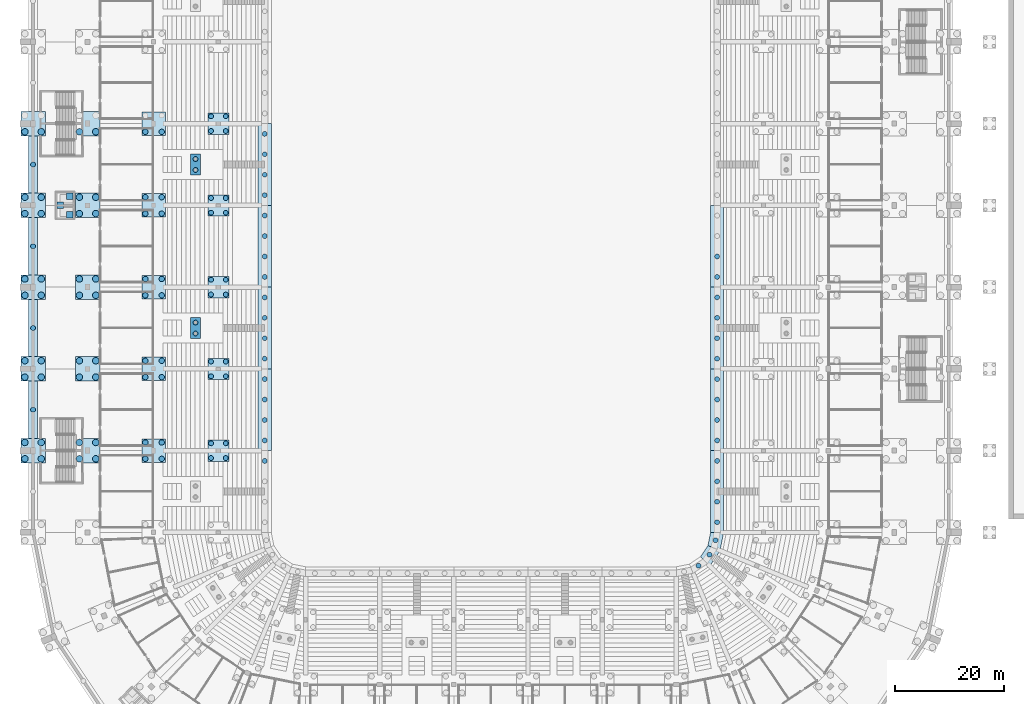
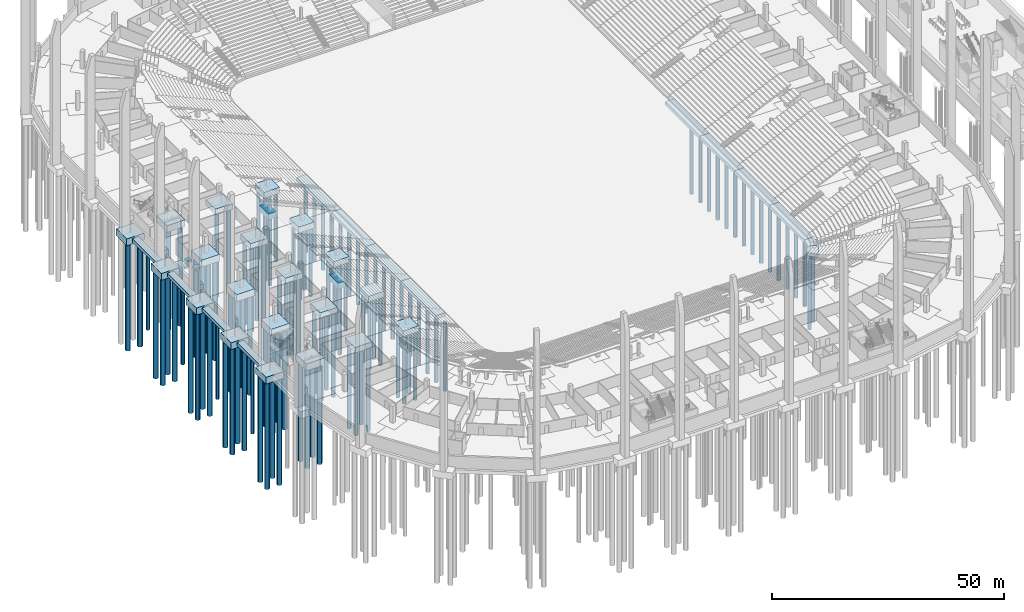
# One storey, part 3 of 115: 116 piles, 39 footings.
"""IFC4 building model written with IfcOpenShell, lengths in metres."""

from ifc_helpers import new_model, si_unit, direction, frame, origin, origin_2d, place, context, subcontext, project, spatial, polyline, rectangle, circle, outline, extrude, material, layer, layer_set, material_profile, profile_set, type_object, element, save


model = new_model("IFC4")

# Units and contexts
model_context = context("Model", 3, precision=1e-05, world=origin(), true_north=direction((0.0, 1.0)))
body_context = subcontext(model_context, "Body", "Model", "MODEL_VIEW")
ifc_project = project(units=[si_unit("LENGTHUNIT", "METRE"), si_unit("AREAUNIT", "SQUARE_METRE"), si_unit("VOLUMEUNIT", "CUBIC_METRE"), si_unit("PLANEANGLEUNIT", "RADIAN"), si_unit("MASSUNIT", "GRAM", prefix="KILO")], contexts=[model_context])

# Site, building, storey
site_placement = place(None, origin())
site = spatial("IfcSite", under=ifc_project, at=site_placement, CompositionType="ELEMENT")
building_placement = place(site_placement, origin())
building = spatial("IfcBuilding", under=site, at=building_placement, Name="Ogive Plaza Stadium", CompositionType="ELEMENT")
storey_placement = place(building_placement, frame((0.0, 0.0, -4.5)))
storey = spatial("IfcBuildingStorey", under=building, at=storey_placement, Name="B1", CompositionType="ELEMENT", Elevation=-4.5)

# Piles
ifc_material_1 = material(Name="Concrete C40/50", Category="concrete")
ifc_material_profile_1 = material_profile(ifc_material_1, circle(Radius=0.5, at=origin_2d()), Name="RC D1000")
ifc_profile_set_1 = profile_set([ifc_material_profile_1], Name="Concrete C40/50")
pile_type_1 = type_object("IfcPileType", Name="Bored pile D1000", PredefinedType="BORED", material=ifc_profile_set_1)
for number, where, z_axis, x_axis, name in (
    (1, (-60.39990234375, -36.0, -1.5), (0.0, 0.0, -1.0), (1.0, 0.0, 0.0), "Bored pile F3:R22 1"),
    (2, (-60.39990234375, -39.0, -1.5), (0.0, 0.0, -1.0), (1.0, 0.0, 0.0), "Bored pile F3:R22 2"),
    (3, (-63.39990234375, -36.0, -1.5), (0.0, 0.0, -1.0), (1.0, 0.0, 0.0), "Bored pile F3:R22 3"),
    (4, (-63.39990234375, -39.0, -1.5), (0.0, 0.0, -1.0), (1.0, 0.0, 0.0), "Bored pile F3:R22 4"),
    (5, (-60.39990234375, -21.0, -1.5), (0.0, 0.0, -1.0), (1.0, 0.0, 0.0), "Bored pile F3:R23 1"),
    (6, (-60.39990234375, -24.0, -1.5), (0.0, 0.0, -1.0), (1.0, 0.0, 0.0), "Bored pile F3:R23 2"),
    (7, (-63.39990234375, -21.0, -1.5), (0.0, 0.0, -1.0), (1.0, 0.0, 0.0), "Bored pile F3:R23 3"),
    (8, (-63.39990234375, -24.0, -1.5), (0.0, 0.0, -1.0), (1.0, 0.0, 0.0), "Bored pile F3:R23 4"),
    (9, (-60.39990234375, -6.0, -1.5), (0.0, 0.0, -1.0), (1.0, 0.0, 0.0), "Bored pile F3:R24 1"),
    (10, (-60.39990234375, -9.0, -1.5), (0.0, 0.0, -1.0), (1.0, 0.0, 0.0), "Bored pile F3:R24 2"),
    (11, (-63.39990234375, -6.0, -1.5), (0.0, 0.0, -1.0), (1.0, 0.0, 0.0), "Bored pile F3:R24 3"),
    (12, (-63.39990234375, -9.0, -1.5), (0.0, 0.0, -1.0), (1.0, 0.0, 0.0), "Bored pile F3:R24 4"),
    (13, (-60.39990234375, 9.0, -1.5), (0.0, 0.0, -1.0), (1.0, 0.0, 0.0), "Bored pile F3:R25 1"),
    (14, (-60.39990234375, 6.0, -1.5), (0.0, 0.0, -1.0), (1.0, 0.0, 0.0), "Bored pile F3:R25 2"),
    (15, (-63.39990234375, 9.0, -1.5), (0.0, 0.0, -1.0), (1.0, 0.0, 0.0), "Bored pile F3:R25 3"),
    (16, (-63.39990234375, 6.0, -1.5), (0.0, 0.0, -1.0), (1.0, 0.0, 0.0), "Bored pile F3:R25 4"),
    (17, (-60.39990234375, 21.0, -1.5), (0.0, 0.0, -1.0), (1.0, 0.0, 0.0), "Bored pile F3:R26 2"),
    (18, (-63.39990234375, 21.0, -1.5), (0.0, 0.0, -1.0), (1.0, 0.0, 0.0), "Bored pile F3:R26 4"),
):
    element("IfcPile", number, at=place(storey_placement, frame(where, z_axis=z_axis, x_axis=x_axis)), inside=storey, type_object=pile_type_1, Name=name, PredefinedType="BORED", context=body_context, shape_type="SweptSolid", body=[
        extrude(circle(Radius=0.5, at=origin_2d()), origin(), (0.0, 0.0, 1.0), 22.0),
    ])
ifc_material_2 = material(Name="Concrete C40/50", Category="concrete")
ifc_material_profile_2 = material_profile(ifc_material_2, circle(Radius=0.60009765625, at=origin_2d()), Name="RC D1200")
ifc_profile_set_2 = profile_set([ifc_material_profile_2], Name="Concrete C40/50")
pile_type_2 = type_object("IfcPileType", Name="Bored pile D1200", PredefinedType="BORED", material=ifc_profile_set_2)
for number, where, z_axis, x_axis, name in (
    (19, (-72.5, -36.0, -1.800048828125), (0.0, 0.0, -1.0), (1.0, 0.0, 0.0), "Bored pile F4:R22 1"),
    (20, (-72.5, -39.0, -1.800048828125), (0.0, 0.0, -1.0), (1.0, 0.0, 0.0), "Bored pile F4:R22 2"),
    (21, (-75.5, -36.0, -1.800048828125), (0.0, 0.0, -1.0), (1.0, 0.0, 0.0), "Bored pile F4:R22 3"),
    (22, (-75.5, -39.0, -1.800048828125), (0.0, 0.0, -1.0), (1.0, 0.0, 0.0), "Bored pile F4:R22 4"),
):
    element("IfcPile", number, at=place(storey_placement, frame(where, z_axis=z_axis, x_axis=x_axis)), inside=storey, type_object=pile_type_2, Name=name, PredefinedType="BORED", context=body_context, shape_type="SweptSolid", body=[
        extrude(circle(Radius=0.60009765625, at=origin_2d()), origin(), (0.0, 0.0, 1.0), 26.0),
    ])
for number, where, z_axis, x_axis, name in (
    (23, (-82.5, -36.0, -1.800048828125), (0.0, 0.0, -1.0), (1.0, 0.0, 0.0), "Bored pile F5:R22 1"),
    (24, (-82.5, -39.0, -1.800048828125), (0.0, 0.0, -1.0), (1.0, 0.0, 0.0), "Bored pile F5:R22 2"),
    (25, (-85.5, -36.0, -1.800048828125), (0.0, 0.0, -1.0), (1.0, 0.0, 0.0), "Bored pile F5:R22 3"),
    (26, (-85.5, -39.0, -1.800048828125), (0.0, 0.0, -1.0), (1.0, 0.0, 0.0), "Bored pile F5:R22 4"),
):
    element("IfcPile", number, at=place(storey_placement, frame(where, z_axis=z_axis, x_axis=x_axis)), inside=storey, type_object=pile_type_2, Name=name, PredefinedType="BORED", context=body_context, shape_type="SweptSolid", body=[
        extrude(circle(Radius=0.60009765625, at=origin_2d()), origin(), (0.0, 0.0, 1.0), 28.0),
    ])
for number, where, z_axis, x_axis, name in (
    (27, (-72.5, -21.0, -1.800048828125), (0.0, 0.0, -1.0), (1.0, 0.0, 0.0), "Bored pile F4:R23 1"),
    (28, (-72.5, -24.0, -1.800048828125), (0.0, 0.0, -1.0), (1.0, 0.0, 0.0), "Bored pile F4:R23 2"),
    (29, (-75.5, -21.0, -1.800048828125), (0.0, 0.0, -1.0), (1.0, 0.0, 0.0), "Bored pile F4:R23 3"),
    (30, (-75.5, -24.0, -1.800048828125), (0.0, 0.0, -1.0), (1.0, 0.0, 0.0), "Bored pile F4:R23 4"),
):
    element("IfcPile", number, at=place(storey_placement, frame(where, z_axis=z_axis, x_axis=x_axis)), inside=storey, type_object=pile_type_2, Name=name, PredefinedType="BORED", context=body_context, shape_type="SweptSolid", body=[
        extrude(circle(Radius=0.60009765625, at=origin_2d()), origin(), (0.0, 0.0, 1.0), 26.0),
    ])
for number, where, z_axis, x_axis, name in (
    (31, (-82.5, -21.0, -1.800048828125), (0.0, 0.0, -1.0), (1.0, 0.0, 0.0), "Bored pile F5:R23 1"),
    (32, (-82.5, -24.0, -1.800048828125), (0.0, 0.0, -1.0), (1.0, 0.0, 0.0), "Bored pile F5:R23 2"),
    (33, (-85.5, -21.0, -1.800048828125), (0.0, 0.0, -1.0), (1.0, 0.0, 0.0), "Bored pile F5:R23 3"),
    (34, (-85.5, -24.0, -1.800048828125), (0.0, 0.0, -1.0), (1.0, 0.0, 0.0), "Bored pile F5:R23 4"),
):
    element("IfcPile", number, at=place(storey_placement, frame(where, z_axis=z_axis, x_axis=x_axis)), inside=storey, type_object=pile_type_2, Name=name, PredefinedType="BORED", context=body_context, shape_type="SweptSolid", body=[
        extrude(circle(Radius=0.60009765625, at=origin_2d()), origin(), (0.0, 0.0, 1.0), 28.0),
    ])
for number, where, z_axis, x_axis, name in (
    (35, (-72.5, -6.0, -1.800048828125), (0.0, 0.0, -1.0), (1.0, 0.0, 0.0), "Bored pile F4:R24 1"),
    (36, (-72.5, -9.0, -1.800048828125), (0.0, 0.0, -1.0), (1.0, 0.0, 0.0), "Bored pile F4:R24 2"),
    (37, (-75.5, -6.0, -1.800048828125), (0.0, 0.0, -1.0), (1.0, 0.0, 0.0), "Bored pile F4:R24 3"),
    (38, (-75.5, -9.0, -1.800048828125), (0.0, 0.0, -1.0), (1.0, 0.0, 0.0), "Bored pile F4:R24 4"),
):
    element("IfcPile", number, at=place(storey_placement, frame(where, z_axis=z_axis, x_axis=x_axis)), inside=storey, type_object=pile_type_2, Name=name, PredefinedType="BORED", context=body_context, shape_type="SweptSolid", body=[
        extrude(circle(Radius=0.60009765625, at=origin_2d()), origin(), (0.0, 0.0, 1.0), 26.0),
    ])
for number, where, z_axis, x_axis, name in (
    (39, (-82.5, -6.0, -1.800048828125), (0.0, 0.0, -1.0), (1.0, 0.0, 0.0), "Bored pile F5:R24 1"),
    (40, (-82.5, -9.0, -1.800048828125), (0.0, 0.0, -1.0), (1.0, 0.0, 0.0), "Bored pile F5:R24 2"),
    (41, (-85.5, -6.0, -1.800048828125), (0.0, 0.0, -1.0), (1.0, 0.0, 0.0), "Bored pile F5:R24 3"),
    (42, (-85.5, -9.0, -1.800048828125), (0.0, 0.0, -1.0), (1.0, 0.0, 0.0), "Bored pile F5:R24 4"),
):
    element("IfcPile", number, at=place(storey_placement, frame(where, z_axis=z_axis, x_axis=x_axis)), inside=storey, type_object=pile_type_2, Name=name, PredefinedType="BORED", context=body_context, shape_type="SweptSolid", body=[
        extrude(circle(Radius=0.60009765625, at=origin_2d()), origin(), (0.0, 0.0, 1.0), 28.0),
    ])
for number, where, z_axis, x_axis, name in (
    (43, (-72.5, 9.0, -1.800048828125), (0.0, 0.0, -1.0), (1.0, 0.0, 0.0), "Bored pile F4:R25 1"),
    (44, (-72.5, 6.0, -1.800048828125), (0.0, 0.0, -1.0), (1.0, 0.0, 0.0), "Bored pile F4:R25 2"),
    (45, (-75.5, 9.0, -1.800048828125), (0.0, 0.0, -1.0), (1.0, 0.0, 0.0), "Bored pile F4:R25 3"),
    (46, (-75.5, 6.0, -1.800048828125), (0.0, 0.0, -1.0), (1.0, 0.0, 0.0), "Bored pile F4:R25 4"),
):
    element("IfcPile", number, at=place(storey_placement, frame(where, z_axis=z_axis, x_axis=x_axis)), inside=storey, type_object=pile_type_2, Name=name, PredefinedType="BORED", context=body_context, shape_type="SweptSolid", body=[
        extrude(circle(Radius=0.60009765625, at=origin_2d()), origin(), (0.0, 0.0, 1.0), 26.0),
    ])
for number, where, z_axis, x_axis, name in (
    (47, (-82.5, 9.0, -1.800048828125), (0.0, 0.0, -1.0), (1.0, 0.0, 0.0), "Bored pile F5:R25 1"),
    (48, (-82.5, 6.0, -1.800048828125), (0.0, 0.0, -1.0), (1.0, 0.0, 0.0), "Bored pile F5:R25 2"),
    (49, (-85.5, 9.0, -1.800048828125), (0.0, 0.0, -1.0), (1.0, 0.0, 0.0), "Bored pile F5:R25 3"),
    (50, (-85.5, 6.0, -1.800048828125), (0.0, 0.0, -1.0), (1.0, 0.0, 0.0), "Bored pile F5:R25 4"),
):
    element("IfcPile", number, at=place(storey_placement, frame(where, z_axis=z_axis, x_axis=x_axis)), inside=storey, type_object=pile_type_2, Name=name, PredefinedType="BORED", context=body_context, shape_type="SweptSolid", body=[
        extrude(circle(Radius=0.60009765625, at=origin_2d()), origin(), (0.0, 0.0, 1.0), 28.0),
    ])
for number, where, z_axis, x_axis, name in (
    (51, (-72.5, 21.0, -1.800048828125), (0.0, 0.0, -1.0), (1.0, 0.0, 0.0), "Bored pile F4:R26 2"),
    (52, (-75.5, 21.0, -1.800048828125), (0.0, 0.0, -1.0), (1.0, 0.0, 0.0), "Bored pile F4:R26 4"),
):
    element("IfcPile", number, at=place(storey_placement, frame(where, z_axis=z_axis, x_axis=x_axis)), inside=storey, type_object=pile_type_2, Name=name, PredefinedType="BORED", context=body_context, shape_type="SweptSolid", body=[
        extrude(circle(Radius=0.60009765625, at=origin_2d()), origin(), (0.0, 0.0, 1.0), 26.0),
    ])
for number, where, z_axis, x_axis, name in (
    (53, (-82.5, 21.0, -1.800048828125), (0.0, 0.0, -1.0), (1.0, 0.0, 0.0), "Bored pile F5:R26 2"),
    (54, (-85.5, 21.0, -1.800048828125), (0.0, 0.0, -1.0), (1.0, 0.0, 0.0), "Bored pile F5:R26 4"),
):
    element("IfcPile", number, at=place(storey_placement, frame(where, z_axis=z_axis, x_axis=x_axis)), inside=storey, type_object=pile_type_2, Name=name, PredefinedType="BORED", context=body_context, shape_type="SweptSolid", body=[
        extrude(circle(Radius=0.60009765625, at=origin_2d()), origin(), (0.0, 0.0, 1.0), 28.0),
    ])
ifc_material_3 = material(Name="Concrete C40/50", Category="concrete")
ifc_material_profile_3 = material_profile(ifc_material_3, circle(Radius=0.449951171875, at=origin_2d()), Name="RC D900")
ifc_profile_set_3 = profile_set([ifc_material_profile_3], Name="Concrete C40/50")
pile_type_3 = type_object("IfcPileType", Name="Bored pile D900", PredefinedType="BORED", material=ifc_profile_set_3)
for number, where, z_axis, x_axis, name in (
    (55, (-48.64990234375, -36.14990234375, -1.5), (0.0, 0.0, -1.0), (1.0, 0.0, 0.0), "Bored pile F1:R22 1"),
    (56, (-48.64990234375, -38.85009765625, -1.5), (0.0, 0.0, -1.0), (1.0, 0.0, 0.0), "Bored pile F1:R22 2"),
    (57, (-51.35009765625, -36.14990234375, -1.5), (0.0, 0.0, -1.0), (1.0, 0.0, 0.0), "Bored pile F1:R22 3"),
    (58, (-51.35009765625, -38.85009765625, -1.5), (0.0, 0.0, -1.0), (1.0, 0.0, 0.0), "Bored pile F1:R22 4"),
    (59, (-48.64990234375, -21.14990234375, -1.5), (0.0, 0.0, -1.0), (1.0, 0.0, 0.0), "Bored pile F1:R23 1"),
    (60, (-48.64990234375, -23.85009765625, -1.5), (0.0, 0.0, -1.0), (1.0, 0.0, 0.0), "Bored pile F1:R23 2"),
    (61, (-51.35009765625, -21.14990234375, -1.5), (0.0, 0.0, -1.0), (1.0, 0.0, 0.0), "Bored pile F1:R23 3"),
    (62, (-51.35009765625, -23.85009765625, -1.5), (0.0, 0.0, -1.0), (1.0, 0.0, 0.0), "Bored pile F1:R23 4"),
    (63, (-48.64990234375, -6.14990234375, -1.5), (0.0, 0.0, -1.0), (1.0, 0.0, 0.0), "Bored pile F1:R24 1"),
    (64, (-48.64990234375, -8.85009765625, -1.5), (0.0, 0.0, -1.0), (1.0, 0.0, 0.0), "Bored pile F1:R24 2"),
    (65, (-51.35009765625, -6.14990234375, -1.5), (0.0, 0.0, -1.0), (1.0, 0.0, 0.0), "Bored pile F1:R24 3"),
    (66, (-51.35009765625, -8.85009765625, -1.5), (0.0, 0.0, -1.0), (1.0, 0.0, 0.0), "Bored pile F1:R24 4"),
    (67, (-48.64990234375, 8.85009765625, -1.5), (0.0, 0.0, -1.0), (1.0, 0.0, 0.0), "Bored pile F1:R25 1"),
    (68, (-48.64990234375, 6.14990234375, -1.5), (0.0, 0.0, -1.0), (1.0, 0.0, 0.0), "Bored pile F1:R25 2"),
    (69, (-51.35009765625, 8.85009765625, -1.5), (0.0, 0.0, -1.0), (1.0, 0.0, 0.0), "Bored pile F1:R25 3"),
    (70, (-51.35009765625, 6.14990234375, -1.5), (0.0, 0.0, -1.0), (1.0, 0.0, 0.0), "Bored pile F1:R25 4"),
    (71, (-48.64990234375, 23.85009765625, -1.5), (0.0, 0.0, -1.0), (1.0, 0.0, 0.0), "Bored pile F1:R26 1"),
    (72, (-48.64990234375, 21.14990234375, -1.5), (0.0, 0.0, -1.0), (1.0, 0.0, 0.0), "Bored pile F1:R26 2"),
    (73, (-51.35009765625, 23.85009765625, -1.5), (0.0, 0.0, -1.0), (1.0, 0.0, 0.0), "Bored pile F1:R26 3"),
    (74, (-51.35009765625, 21.14990234375, -1.5), (0.0, 0.0, -1.0), (1.0, 0.0, 0.0), "Bored pile F1:R26 4"),
    (75, (41.5, -1.875, -1.300048828125), (0.0, 0.0, -1.0), (1.0, 0.0, 0.0), "Bored pile F0:B04 3"),
    (76, (41.5, -5.625, -1.300048828125), (0.0, 0.0, -1.0), (1.0, 0.0, 0.0), "Bored pile F0:B04 4"),
    (77, (41.5, -9.375, -1.300048828125), (0.0, 0.0, -1.0), (1.0, 0.0, 0.0), "Bored pile F0:B05 1"),
    (78, (41.5, -13.125, -1.300048828125), (0.0, 0.0, -1.0), (1.0, 0.0, 0.0), "Bored pile F0:B05 2"),
    (79, (41.5, -16.875, -1.300048828125), (0.0, 0.0, -1.0), (1.0, 0.0, 0.0), "Bored pile F0:B05 3"),
    (80, (41.5, -20.625, -1.300048828125), (0.0, 0.0, -1.0), (1.0, 0.0, 0.0), "Bored pile F0:B05 4"),
    (81, (41.5, -24.375, -1.300048828125), (0.0, 0.0, -1.0), (1.0, 0.0, 0.0), "Bored pile F0:B06 1"),
    (82, (41.5, -28.125, -1.300048828125), (0.0, 0.0, -1.0), (1.0, 0.0, 0.0), "Bored pile F0:B06 2"),
    (83, (41.5, -31.875, -1.300048828125), (0.0, 0.0, -1.0), (1.0, 0.0, 0.0), "Bored pile F0:B06 3"),
    (84, (41.5, -35.625, -1.300048828125), (0.0, 0.0, -1.0), (1.0, 0.0, 0.0), "Bored pile F0:B06 4"),
    (85, (41.5, -39.375, -1.300048828125), (0.0, 0.0, -1.0), (1.0, 0.0, 0.0), "Bored pile F0:B07 1"),
    (86, (41.5, -43.125, -1.300048828125), (0.0, 0.0, -1.0), (1.0, 0.0, 0.0), "Bored pile F0:B07 2"),
    (87, (41.5, -46.875, -1.300048828125), (0.0, 0.0, -1.0), (1.0, 0.0, 0.0), "Bored pile F0:B07 3"),
    (88, (41.5, -50.625, -1.300048828125), (0.0, 0.0, -1.0), (1.0, 0.0, 0.0), "Bored pile F0:B07 4"),
    (89, (41.214599609375, -53.93505859375, -1.300048828125), (0.0, 0.0, -1.0), (1.0, 0.0, 0.0), "Bored pile F0:B08 1"),
    (90, (40.1162109375, -56.586669921875, -1.300048828125), (0.0, 0.0, -1.0), (1.0, 0.0, 0.0), "Bored pile F0:B09 1"),
    (91, (38.086669921875, -58.6162109375, -1.300048828125), (0.0, 0.0, -1.0), (1.0, 0.0, 0.0), "Bored pile F0:B10 1"),
    (92, (-41.5, -39.375, -1.300048828125), (0.0, 0.0, -1.0), (1.0, 0.0, 0.0), "Bored pile F0:B21 4"),
    (93, (-41.5, -35.625, -1.300048828125), (0.0, 0.0, -1.0), (1.0, 0.0, 0.0), "Bored pile F0:B22 1"),
    (94, (-41.5, -31.875, -1.300048828125), (0.0, 0.0, -1.0), (1.0, 0.0, 0.0), "Bored pile F0:B22 2"),
    (95, (-41.5, -28.125, -1.300048828125), (0.0, 0.0, -1.0), (1.0, 0.0, 0.0), "Bored pile F0:B22 3"),
    (96, (-41.5, -24.375, -1.300048828125), (0.0, 0.0, -1.0), (1.0, 0.0, 0.0), "Bored pile F0:B22 4"),
    (97, (-41.5, -20.625, -1.300048828125), (0.0, 0.0, -1.0), (1.0, 0.0, 0.0), "Bored pile F0:B23 1"),
    (98, (-41.5, -16.875, -1.300048828125), (0.0, 0.0, -1.0), (1.0, 0.0, 0.0), "Bored pile F0:B23 2"),
    (99, (-41.5, -13.125, -1.300048828125), (0.0, 0.0, -1.0), (1.0, 0.0, 0.0), "Bored pile F0:B23 3"),
    (100, (-41.5, -9.375, -1.300048828125), (0.0, 0.0, -1.0), (1.0, 0.0, 0.0), "Bored pile F0:B23 4"),
    (101, (-41.5, -5.625, -1.300048828125), (0.0, 0.0, -1.0), (1.0, 0.0, 0.0), "Bored pile F0:B24 1"),
    (102, (-41.5, -1.875, -1.300048828125), (0.0, 0.0, -1.0), (1.0, 0.0, 0.0), "Bored pile F0:B24 2"),
    (103, (-41.5, 1.875, -1.300048828125), (0.0, 0.0, -1.0), (1.0, 0.0, 0.0), "Bored pile F0:B24 3"),
    (104, (-41.5, 5.625, -1.300048828125), (0.0, 0.0, -1.0), (1.0, 0.0, 0.0), "Bored pile F0:B24 4"),
    (105, (-41.5, 9.375, -1.300048828125), (0.0, 0.0, -1.0), (1.0, 0.0, 0.0), "Bored pile F0:B25 1"),
    (106, (-41.5, 13.125, -1.300048828125), (0.0, 0.0, -1.0), (1.0, 0.0, 0.0), "Bored pile F0:B25 2"),
    (107, (-41.5, 16.875, -1.300048828125), (0.0, 0.0, -1.0), (1.0, 0.0, 0.0), "Bored pile F0:B25 3"),
    (108, (-41.5, 20.625, -1.300048828125), (0.0, 0.0, -1.0), (1.0, 0.0, 0.0), "Bored pile F0:B25 4"),
):
    element("IfcPile", number, at=place(storey_placement, frame(where, z_axis=z_axis, x_axis=x_axis)), inside=storey, type_object=pile_type_3, Name=name, PredefinedType="BORED", context=body_context, shape_type="SweptSolid", body=[
        extrude(circle(Radius=0.449951171875, at=origin_2d()), origin(), (0.0, 0.0, 1.0), 18.0),
    ])
for number, where, z_axis, x_axis, name in (
    (109, (-84.0, -30.0, -1.300048828125), (0.0, 0.0, -1.0), (1.0, 0.0, 0.0), "Bored pile RET:B22 1"),
    (110, (-84.0, -15.0, -1.300048828125), (0.0, 0.0, -1.0), (1.0, 0.0, 0.0), "Bored pile RET:B23 1"),
    (111, (-84.0, 0.0, -1.300048828125), (0.0, 0.0, -1.0), (1.0, 0.0, 0.0), "Bored pile RET:B24 1"),
    (112, (-84.0, 15.0, -1.300048828125), (0.0, 0.0, -1.0), (1.0, 0.0, 0.0), "Bored pile RET:B25 1"),
):
    element("IfcPile", number, at=place(storey_placement, frame(where, z_axis=z_axis, x_axis=x_axis)), inside=storey, type_object=pile_type_3, Name=name, PredefinedType="BORED", context=body_context, shape_type="SweptSolid", body=[
        extrude(circle(Radius=0.449951171875, at=origin_2d()), origin(), (0.0, 0.0, 1.0), 20.0),
    ])
for number, where, z_axis, x_axis, name in (
    (113, (-54.199951171875, -14.0, -1.5), (0.0, 0.0, -1.0), (1.0, 0.0, 0.0), "Bored pile F1V:B23 1"),
    (114, (-54.199951171875, -16.0, -1.5), (0.0, 0.0, -1.0), (1.0, 0.0, 0.0), "Bored pile F1V:B23 2"),
    (115, (-54.199951171875, 16.0, -1.5), (0.0, 0.0, -1.0), (1.0, 0.0, 0.0), "Bored pile F1V:B25 1"),
    (116, (-54.199951171875, 14.0, -1.5), (0.0, 0.0, -1.0), (1.0, 0.0, 0.0), "Bored pile F1V:B25 2"),
):
    element("IfcPile", number, at=place(storey_placement, frame(where, z_axis=z_axis, x_axis=x_axis)), inside=storey, type_object=pile_type_3, Name=name, PredefinedType="BORED", context=body_context, shape_type="SweptSolid", body=[
        extrude(circle(Radius=0.449951171875, at=origin_2d()), origin(), (0.0, 0.0, 1.0), 18.0),
    ])

# Footings
ifc_material_4 = material(Name="Concrete C40/50", Category="concrete")
ifc_layer_1 = layer(ifc_material_4, 0.60009765625)
ifc_layer_set_1 = layer_set([ifc_layer_1], Name="Concrete C40/50")
footing_type_1 = type_object("IfcFootingType", Name="Lift pit pad 1200x1200", PredefinedType="PAD_FOOTING", material=ifc_layer_set_1)
for number, where, z_axis, x_axis, name in (
    (117, (-77.300048828125, 9.175048828125, -2.2099609375), (0.0, 0.0, 1.0), (-1.0, 0.0, 0.0), "Lift pit pad LP25"),
    (118, (-77.300048828125, 5.824951171875, -2.2099609375), (0.0, 0.0, 1.0), (-1.0, 0.0, 0.0), "Lift pit pad LP25"),
    (119, (-79.0, 7.5, -2.2099609375), (0.0, 0.0, 1.0), (-1.0, 0.0, 0.0), "Lift pit pad LP25"),
):
    element("IfcFooting", number, at=place(storey_placement, frame(where, z_axis=z_axis, x_axis=x_axis)), inside=storey, type_object=footing_type_1, Name=name, PredefinedType="PAD_FOOTING", context=body_context, shape_type="SweptSolid", body=[
        extrude(rectangle(XDim=1.199951171875, YDim=1.199951171875, at=origin_2d()), origin(), (0.0, 0.0, 1.0), 0.60009765625),
    ])
ifc_material_5 = material(Name="Concrete C40/50", Category="concrete")
ifc_layer_2 = layer(ifc_material_5, 1.5)
ifc_layer_set_2 = layer_set([ifc_layer_2], Name="Concrete C40/50")
footing_type_2 = type_object("IfcFootingType", Name="Pile cap F1 3900x1500", PredefinedType="PILE_CAP", material=ifc_layer_set_2)
for number, where, z_axis, x_axis, name in (
    (120, (-50.0, -37.5, -1.5), (0.0, 0.0, 1.0), (-1.0, 0.0, 0.0), "Pile cap F1 R22"),
    (121, (-50.0, -22.5, -1.5), (0.0, 0.0, 1.0), (-1.0, 0.0, 0.0), "Pile cap F1 R23"),
    (122, (-50.0, -7.5, -1.5), (0.0, 0.0, 1.0), (-1.0, 0.0, 0.0), "Pile cap F1 R24"),
    (123, (-50.0, 7.5, -1.5), (0.0, 0.0, 1.0), (-1.0, 0.0, 0.0), "Pile cap F1 R25"),
    (124, (-50.0, 22.5, -1.5), (0.0, 0.0, 1.0), (-1.0, 0.0, 0.0), "Pile cap F1 R26"),
):
    element("IfcFooting", number, at=place(storey_placement, frame(where, z_axis=z_axis, x_axis=x_axis)), inside=storey, type_object=footing_type_2, Name=name, PredefinedType="PILE_CAP", context=body_context, shape_type="SweptSolid", body=[
        extrude(rectangle(XDim=3.89990234375, YDim=3.89990234375, at=origin_2d()), origin(), (0.0, 0.0, 1.0), 1.5),
    ])
ifc_material_6 = material(Name="Concrete C40/50", Category="concrete")
ifc_layer_3 = layer(ifc_material_6, 1.5)
ifc_layer_set_3 = layer_set([ifc_layer_3], Name="Concrete C40/50")
footing_type_3 = type_object("IfcFootingType", Name="Pile cap F1V 1900x3900", PredefinedType="PILE_CAP", material=ifc_layer_set_3)
for number, where, z_axis, x_axis, name in (
    (125, (-54.199951171875, -15.0, -1.5), (0.0, 0.0, 1.0), (-1.0, 0.0, 0.0), "Pile cap F1V B23"),
    (126, (-54.199951171875, 15.0, -1.5), (0.0, 0.0, 1.0), (-1.0, 0.0, 0.0), "Pile cap F1V B25"),
):
    element("IfcFooting", number, at=place(storey_placement, frame(where, z_axis=z_axis, x_axis=x_axis)), inside=storey, type_object=footing_type_3, Name=name, PredefinedType="PILE_CAP", context=body_context, shape_type="SweptSolid", body=[
        extrude(rectangle(XDim=1.89990234375, YDim=3.89990234375, at=origin_2d()), origin(), (0.0, 0.0, 1.0), 1.5),
    ])
ifc_material_7 = material(Name="Concrete C40/50", Category="concrete")
ifc_layer_4 = layer(ifc_material_7, 1.5)
ifc_layer_set_4 = layer_set([ifc_layer_4], Name="Concrete C40/50")
footing_type_4 = type_object("IfcFootingType", Name="Pile cap F3 4300x1500", PredefinedType="PILE_CAP", material=ifc_layer_set_4)
for number, where, z_axis, x_axis, name in (
    (127, (-61.89990234375, -37.5, -1.5), (0.0, 0.0, 1.0), (-1.0, 0.0, 0.0), "Pile cap F3 R22"),
    (128, (-61.89990234375, -22.5, -1.5), (0.0, 0.0, 1.0), (-1.0, 0.0, 0.0), "Pile cap F3 R23"),
    (129, (-61.89990234375, -7.5, -1.5), (0.0, 0.0, 1.0), (-1.0, 0.0, 0.0), "Pile cap F3 R24"),
    (130, (-61.89990234375, 7.5, -1.5), (0.0, 0.0, 1.0), (-1.0, 0.0, 0.0), "Pile cap F3 R25"),
    (131, (-61.89990234375, 22.5, -1.5), (0.0, 0.0, 1.0), (-1.0, 0.0, 0.0), "Pile cap F3 R26"),
):
    element("IfcFooting", number, at=place(storey_placement, frame(where, z_axis=z_axis, x_axis=x_axis)), inside=storey, type_object=footing_type_4, Name=name, PredefinedType="PILE_CAP", context=body_context, shape_type="SweptSolid", body=[
        extrude(rectangle(XDim=4.300048828125, YDim=4.300048828125, at=origin_2d()), origin(), (0.0, 0.0, 1.0), 1.5),
    ])
ifc_material_8 = material(Name="Concrete C40/50", Category="concrete")
ifc_layer_5 = layer(ifc_material_8, 1.800048828125)
ifc_layer_set_5 = layer_set([ifc_layer_5], Name="Concrete C40/50")
footing_type_5 = type_object("IfcFootingType", Name="Pile cap F4 4500x1800", PredefinedType="PILE_CAP", material=ifc_layer_set_5)
for number, where, z_axis, x_axis, name in (
    (132, (-74.0, -37.5, -1.7998046875), (0.0, 0.0, 1.0), (-1.0, 0.0, 0.0), "Pile cap F4 R22"),
    (133, (-74.0, -22.5, -1.7998046875), (0.0, 0.0, 1.0), (-1.0, 0.0, 0.0), "Pile cap F4 R23"),
    (134, (-74.0, -7.5, -1.7998046875), (0.0, 0.0, 1.0), (-1.0, 0.0, 0.0), "Pile cap F4 R24"),
    (135, (-74.0, 7.5, -1.7998046875), (0.0, 0.0, 1.0), (-1.0, 0.0, 0.0), "Pile cap F4 R25"),
    (136, (-74.0, 22.5, -1.7998046875), (0.0, 0.0, 1.0), (-1.0, 0.0, 0.0), "Pile cap F4 R26"),
):
    element("IfcFooting", number, at=place(storey_placement, frame(where, z_axis=z_axis, x_axis=x_axis)), inside=storey, type_object=footing_type_5, Name=name, PredefinedType="PILE_CAP", context=body_context, shape_type="SweptSolid", body=[
        extrude(rectangle(XDim=4.5, YDim=4.5, at=origin_2d()), origin(), (0.0, 0.0, 1.0), 1.800048828125),
    ])
ifc_material_9 = material(Name="Concrete C40/50", Category="concrete")
ifc_layer_6 = layer(ifc_material_9, 1.800048828125)
ifc_layer_set_6 = layer_set([ifc_layer_6], Name="Concrete C40/50")
footing_type_6 = type_object("IfcFootingType", Name="Pile cap F5 4500x1800", PredefinedType="PILE_CAP", material=ifc_layer_set_6)
for number, where, z_axis, x_axis, name in (
    (137, (-84.0, -37.5, -1.7998046875), (0.0, 0.0, 1.0), (-1.0, 0.0, 0.0), "Pile cap F5 R22"),
    (138, (-84.0, -22.5, -1.7998046875), (0.0, 0.0, 1.0), (-1.0, 0.0, 0.0), "Pile cap F5 R23"),
    (139, (-84.0, -7.5, -1.7998046875), (0.0, 0.0, 1.0), (-1.0, 0.0, 0.0), "Pile cap F5 R24"),
    (140, (-84.0, 7.5, -1.7998046875), (0.0, 0.0, 1.0), (-1.0, 0.0, 0.0), "Pile cap F5 R25"),
    (141, (-84.0, 22.5, -1.7998046875), (0.0, 0.0, 1.0), (-1.0, 0.0, 0.0), "Pile cap F5 R26"),
):
    element("IfcFooting", number, at=place(storey_placement, frame(where, z_axis=z_axis, x_axis=x_axis)), inside=storey, type_object=footing_type_6, Name=name, PredefinedType="PILE_CAP", context=body_context, shape_type="SweptSolid", body=[
        extrude(rectangle(XDim=4.5, YDim=4.5, at=origin_2d()), origin(), (0.0, 0.0, 1.0), 1.800048828125),
    ])
ifc_material_10 = material(Name="Concrete C40/50", Category="concrete")
ifc_layer_7 = layer(ifc_material_10, 0.89990234375)
ifc_layer_set_7 = layer_set([ifc_layer_7], Name="Concrete C40/50")
footing_type_7 = type_object("IfcFootingType", Name="Strip footing F0 900", PredefinedType="STRIP_FOOTING", material=ifc_layer_set_7)
footing_1_placement = place(storey_placement, frame((0.0, 0.0, -1.300048828125)))
element("IfcFooting", 142, at=footing_1_placement, inside=storey, type_object=footing_type_7, Name="Strip footing F0 B04", PredefinedType="STRIP_FOOTING", context=body_context, shape_type="SweptSolid", body=[
    extrude(outline(polyline([(40.300048828125, -7.5), (42.699951171875, -7.5), (42.699951171875, 7.5), (40.300048828125, 7.5), (40.300048828125, -7.5)])), origin(), (0.0, 0.0, 1.0), 0.900146484375),
])
footing_2_placement = place(storey_placement, frame((0.0, 0.0, -1.300048828125)))
element("IfcFooting", 143, at=footing_2_placement, inside=storey, type_object=footing_type_7, Name="Strip footing F0 B05", PredefinedType="STRIP_FOOTING", context=body_context, shape_type="SweptSolid", body=[
    extrude(outline(polyline([(40.300048828125, -22.5), (42.699951171875, -22.5), (42.699951171875, -7.5), (40.300048828125, -7.5), (40.300048828125, -22.5)])), origin(), (0.0, 0.0, 1.0), 0.900146484375),
])
footing_3_placement = place(storey_placement, frame((0.0, 0.0, -1.300048828125)))
element("IfcFooting", 144, at=footing_3_placement, inside=storey, type_object=footing_type_7, Name="Strip footing F0 B06", PredefinedType="STRIP_FOOTING", context=body_context, shape_type="SweptSolid", body=[
    extrude(outline(polyline([(40.300048828125, -37.5), (42.699951171875, -37.5), (42.699951171875, -22.5), (40.300048828125, -22.5), (40.300048828125, -37.5)])), origin(), (0.0, 0.0, 1.0), 0.900146484375),
])
footing_4_placement = place(storey_placement, frame((0.0, 0.0, -1.300048828125)))
element("IfcFooting", 145, at=footing_4_placement, inside=storey, type_object=footing_type_7, Name="Strip footing F0 B07", PredefinedType="STRIP_FOOTING", context=body_context, shape_type="SweptSolid", body=[
    extrude(outline(polyline([(40.300048828125, -52.5), (42.699951171875, -52.5), (42.699951171875, -37.5), (40.300048828125, -37.5), (40.300048828125, -52.5)])), origin(), (0.0, 0.0, 1.0), 0.900146484375),
])
footing_5_placement = place(storey_placement, frame((0.0, 0.0, -1.300048828125)))
element("IfcFooting", 146, at=footing_5_placement, inside=storey, type_object=footing_type_7, Name="Strip footing F0 B08", PredefinedType="STRIP_FOOTING", context=body_context, shape_type="SweptSolid", body=[
    extrude(outline(polyline([(39.820556640625, -54.910888671875), (42.037841796875, -55.829345703125), (42.699951171875, -52.5), (40.300048828125, -52.5), (39.820556640625, -54.910888671875)])), origin(), (0.0, 0.0, 1.0), 0.900146484375),
])
footing_6_placement = place(storey_placement, frame((0.0, 0.0, -1.300048828125)))
element("IfcFooting", 147, at=footing_6_placement, inside=storey, type_object=footing_type_7, Name="Strip footing F0 B09", PredefinedType="STRIP_FOOTING", context=body_context, shape_type="SweptSolid", body=[
    extrude(outline(polyline([(38.454833984375, -56.954833984375), (40.15185546875, -58.65185546875), (42.037841796875, -55.829345703125), (39.820556640625, -54.910888671875), (38.454833984375, -56.954833984375)])), origin(), (0.0, 0.0, 1.0), 0.900146484375),
])
footing_7_placement = place(storey_placement, frame((0.0, 0.0, -1.300048828125)))
element("IfcFooting", 148, at=footing_7_placement, inside=storey, type_object=footing_type_7, Name="Strip footing F0 B22", PredefinedType="STRIP_FOOTING", context=body_context, shape_type="SweptSolid", body=[
    extrude(outline(polyline([(-40.300048828125, -22.5), (-42.699951171875, -22.5), (-42.699951171875, -37.5), (-40.300048828125, -37.5), (-40.300048828125, -22.5)])), origin(), (0.0, 0.0, 1.0), 0.900146484375),
])
footing_8_placement = place(storey_placement, frame((0.0, 0.0, -1.300048828125)))
element("IfcFooting", 149, at=footing_8_placement, inside=storey, type_object=footing_type_7, Name="Strip footing F0 B23", PredefinedType="STRIP_FOOTING", context=body_context, shape_type="SweptSolid", body=[
    extrude(outline(polyline([(-40.300048828125, -7.5), (-42.699951171875, -7.5), (-42.699951171875, -22.5), (-40.300048828125, -22.5), (-40.300048828125, -7.5)])), origin(), (0.0, 0.0, 1.0), 0.900146484375),
])
footing_9_placement = place(storey_placement, frame((0.0, 0.0, -1.300048828125)))
element("IfcFooting", 150, at=footing_9_placement, inside=storey, type_object=footing_type_7, Name="Strip footing F0 B24", PredefinedType="STRIP_FOOTING", context=body_context, shape_type="SweptSolid", body=[
    extrude(outline(polyline([(-40.300048828125, 7.5), (-42.699951171875, 7.5), (-42.699951171875, -7.5), (-40.300048828125, -7.5), (-40.300048828125, 7.5)])), origin(), (0.0, 0.0, 1.0), 0.900146484375),
])
footing_10_placement = place(storey_placement, frame((0.0, 0.0, -1.300048828125)))
element("IfcFooting", 151, at=footing_10_placement, inside=storey, type_object=footing_type_7, Name="Strip footing F0 B25", PredefinedType="STRIP_FOOTING", context=body_context, shape_type="SweptSolid", body=[
    extrude(outline(polyline([(-40.300048828125, 22.5), (-42.699951171875, 22.5), (-42.699951171875, 7.5), (-40.300048828125, 7.5), (-40.300048828125, 22.5)])), origin(), (0.0, 0.0, 1.0), 0.900146484375),
])
ifc_material_11 = material(Name="Concrete C40/50", Category="concrete")
ifc_layer_8 = layer(ifc_material_11, 0.89990234375)
ifc_layer_set_8 = layer_set([ifc_layer_8], Name="Concrete C40/50")
footing_type_8 = type_object("IfcFootingType", Name="Strip footing RET 900", PredefinedType="STRIP_FOOTING", material=ifc_layer_set_8)
footing_11_placement = place(storey_placement, frame((0.0, 0.0, -1.300048828125)))
element("IfcFooting", 152, at=footing_11_placement, inside=storey, type_object=footing_type_8, Name="Strip footing retaining wall B22", PredefinedType="STRIP_FOOTING", context=body_context, shape_type="SweptSolid", body=[
    extrude(outline(polyline([(-83.199951171875, -24.75), (-84.800048828125, -24.75), (-84.800048828125, -35.25), (-83.199951171875, -35.25), (-83.199951171875, -24.75)])), origin(), (0.0, 0.0, 1.0), 0.900146484375),
])
footing_12_placement = place(storey_placement, frame((0.0, 0.0, -1.300048828125)))
element("IfcFooting", 153, at=footing_12_placement, inside=storey, type_object=footing_type_8, Name="Strip footing retaining wall B23", PredefinedType="STRIP_FOOTING", context=body_context, shape_type="SweptSolid", body=[
    extrude(outline(polyline([(-83.199951171875, -9.75), (-84.800048828125, -9.75), (-84.800048828125, -20.25), (-83.199951171875, -20.25), (-83.199951171875, -9.75)])), origin(), (0.0, 0.0, 1.0), 0.900146484375),
])
footing_13_placement = place(storey_placement, frame((0.0, 0.0, -1.300048828125)))
element("IfcFooting", 154, at=footing_13_placement, inside=storey, type_object=footing_type_8, Name="Strip footing retaining wall B24", PredefinedType="STRIP_FOOTING", context=body_context, shape_type="SweptSolid", body=[
    extrude(outline(polyline([(-83.199951171875, 5.25), (-84.800048828125, 5.25), (-84.800048828125, -5.25), (-83.199951171875, -5.25), (-83.199951171875, 5.25)])), origin(), (0.0, 0.0, 1.0), 0.900146484375),
])
footing_14_placement = place(storey_placement, frame((0.0, 0.0, -1.300048828125)))
element("IfcFooting", 155, at=footing_14_placement, inside=storey, type_object=footing_type_8, Name="Strip footing retaining wall B25", PredefinedType="STRIP_FOOTING", context=body_context, shape_type="SweptSolid", body=[
    extrude(outline(polyline([(-83.199951171875, 20.25), (-84.800048828125, 20.25), (-84.800048828125, 9.75), (-83.199951171875, 9.75), (-83.199951171875, 20.25)])), origin(), (0.0, 0.0, 1.0), 0.900146484375),
])

save(model, "model.ifc")
